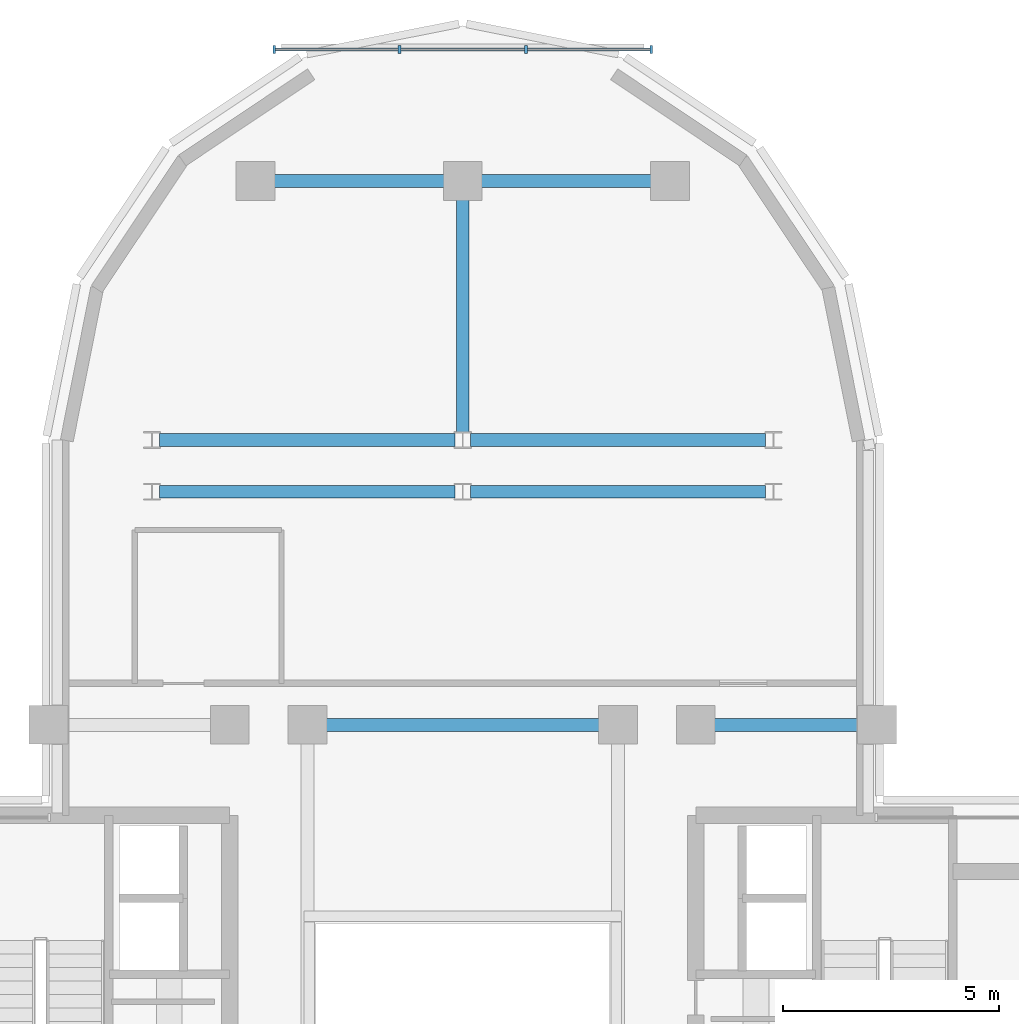
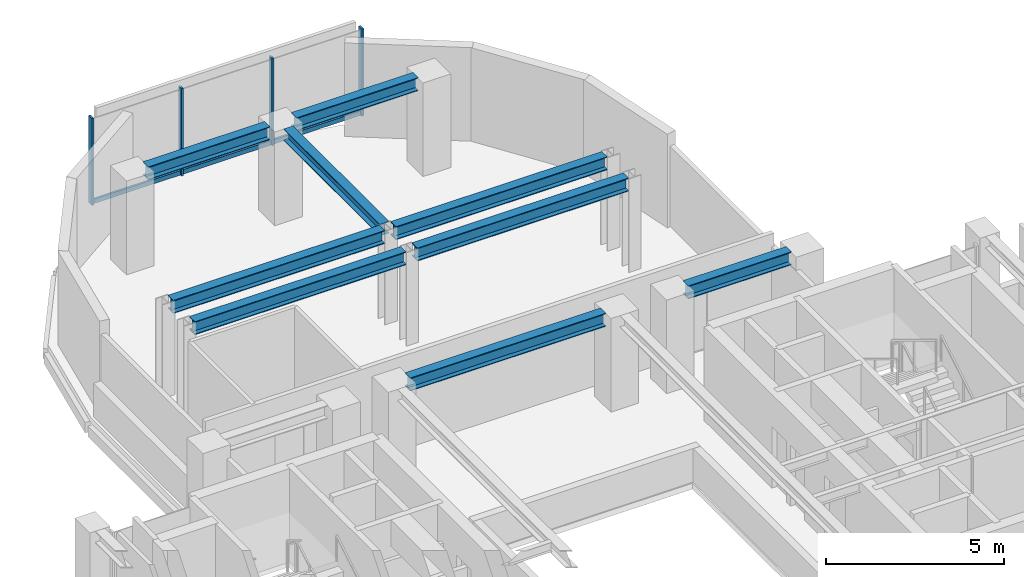
# One storey, part 4 of 11: 9 beams, 7 members, 1 element without a shape of its own.
"""IFC4 building model written with IfcOpenShell, lengths in metres."""

from ifc_helpers import new_model, si_unit, direction, frame, origin, origin_2d, place, context, subcontext, project, spatial, rectangle, i_section, extrude, source, transform, mapped, material, material_profile, profile_set, type_object, element, aggregate, save


model = new_model("IFC4")

# Units and contexts
model_context = context("Model", 3, precision=1e-05, world=origin(), true_north=direction((0.0, 1.0)))
body_context = subcontext(model_context, "Body", "Model", "MODEL_VIEW")
ifc_project = project(units=[si_unit("LENGTHUNIT", "METRE"), si_unit("AREAUNIT", "SQUARE_METRE"), si_unit("VOLUMEUNIT", "CUBIC_METRE"), si_unit("PLANEANGLEUNIT", "RADIAN"), si_unit("MASSUNIT", "GRAM", prefix="KILO")], contexts=[model_context])

# Site, building, storey
site_placement = place(None, origin())
site = spatial("IfcSite", under=ifc_project, at=site_placement, CompositionType="ELEMENT")
building_placement = place(site_placement, origin())
building = spatial("IfcBuilding", under=site, at=building_placement, Name="Keilestroom Media Tower", CompositionType="ELEMENT")
storey_placement = place(building_placement, frame((0.0, 0.0, 167.199951171875)))
storey = spatial("IfcBuildingStorey", under=building, at=storey_placement, Name="L45", CompositionType="ELEMENT", Elevation=167.199951171875)

# Beams
ifc_material_1 = material(Name="Steel S355", Category="steel")
ifc_material_profile_1 = material_profile(ifc_material_1, i_section(OverallWidth=0.300048828125, OverallDepth=0.449951171875, WebThickness=0.011962890625, FlangeThickness=0.02587890625, at=origin_2d()), Name="HEB 450")
ifc_profile_set_1 = profile_set([ifc_material_profile_1], Name="Steel S355")
beam_type_1 = type_object("IfcBeamType", Name="Primary-Structural-Girder-HEB-450", PredefinedType="BEAM", material=ifc_profile_set_1)
shared_shape_1 = source(origin(), body_context, "Body", "SweptSolid", [
    extrude(i_section(OverallWidth=0.300048828125, OverallDepth=0.449951171875, WebThickness=0.011962890625, FlangeThickness=0.02587890625, at=origin_2d()), origin(), (0.0, 0.0, 1.0), 3.940185546875),
])
for number, where, z_axis, x_axis, name in (
    (1, (-4.3701171875, 21.60009765625, 2.97509765625), (1.0, 0.0, 0.0), (0.0, 1.0, 0.0), "L45 Beam BG-7 BM-L45-EW-029"),
    (2, (0.429931640625, 21.60009765625, 2.97509765625), (1.0, 0.0, 0.0), (0.0, 1.0, 0.0), "L45 Beam BG-7 BM-L45-EW-030"),
):
    element("IfcBeam", number, at=place(storey_placement, frame(where, z_axis=z_axis, x_axis=x_axis)), inside=storey, type_object=beam_type_1, Name=name, PredefinedType="BEAM", context=body_context, shape_type="MappedRepresentation", body=[
        mapped(shared_shape_1, transform((0.0, 0.0, 0.0), x_axis=(1.0, 0.0, 0.0), y_axis=(0.0, 1.0, 0.0), z_axis=(0.0, 0.0, 1.0), scale=1.0)),
    ])
shared_shape_2 = source(origin(), body_context, "Body", "SweptSolid", [
    extrude(i_section(OverallWidth=0.300048828125, OverallDepth=0.449951171875, WebThickness=0.011962890625, FlangeThickness=0.02587890625, at=origin_2d()), origin(), (0.0, 0.0, 1.0), 6.842041015625),
])
for number, where, z_axis, x_axis, name in (
    (3, (-7.02099609375, 14.39990234375, 2.97509765625), (1.0, 0.0, 0.0), (0.0, 1.0, 0.0), "L45 Beam BG-7 BM-L45-EW-025"),
    (4, (0.178955078125, 14.39990234375, 2.97509765625), (1.0, 0.0, 0.0), (0.0, 1.0, 0.0), "L45 Beam BG-7 BM-L45-EW-026"),
    (5, (-7.02099609375, 15.60009765625, 2.97509765625), (1.0, 0.0, 0.0), (0.0, 1.0, 0.0), "L45 Beam BG-7 BM-L45-EW-027"),
    (6, (0.178955078125, 15.60009765625, 2.97509765625), (1.0, 0.0, 0.0), (0.0, 1.0, 0.0), "L45 Beam BG-7 BM-L45-EW-028"),
):
    element("IfcBeam", number, at=place(storey_placement, frame(where, z_axis=z_axis, x_axis=x_axis)), inside=storey, type_object=beam_type_1, Name=name, PredefinedType="BEAM", context=body_context, shape_type="MappedRepresentation", body=[
        mapped(shared_shape_2, transform((0.0, 0.0, 0.0), x_axis=(1.0, 0.0, 0.0), y_axis=(0.0, 1.0, 0.0), z_axis=(0.0, 0.0, 1.0), scale=1.0)),
    ])
shared_shape_3 = source(origin(), body_context, "Body", "SweptSolid", [
    extrude(i_section(OverallWidth=0.300048828125, OverallDepth=0.449951171875, WebThickness=0.011962890625, FlangeThickness=0.02587890625, at=origin_2d()), origin(), (0.0, 0.0, 1.0), 3.33984375),
])
beam_1_placement = place(storey_placement, frame((5.830078125, 9.0, 2.97509765625), z_axis=(1.0, 0.0, 0.0), x_axis=(0.0, 1.0, 0.0)))
element("IfcBeam", 7, at=beam_1_placement, inside=storey, type_object=beam_type_1, Name="L45 Beam BG-7 BM-L45-EW-024", PredefinedType="BEAM", context=body_context, shape_type="MappedRepresentation", body=[
    mapped(shared_shape_3, transform((0.0, 0.0, 0.0), x_axis=(1.0, 0.0, 0.0), y_axis=(0.0, 1.0, 0.0), z_axis=(0.0, 0.0, 1.0), scale=1.0)),
])
shared_shape_4 = source(origin(), body_context, "Body", "SweptSolid", [
    extrude(i_section(OverallWidth=0.300048828125, OverallDepth=0.449951171875, WebThickness=0.011962890625, FlangeThickness=0.02587890625, at=origin_2d()), origin(), (0.0, 0.0, 1.0), 6.33984375),
])
beam_2_placement = place(storey_placement, frame((-3.169921875, 9.0, 2.97509765625), z_axis=(1.0, 0.0, 0.0), x_axis=(0.0, 1.0, 0.0)))
element("IfcBeam", 8, at=beam_2_placement, inside=storey, type_object=beam_type_1, Name="L45 Beam BG-7 BM-L45-EW-022", PredefinedType="BEAM", context=body_context, shape_type="MappedRepresentation", body=[
    mapped(shared_shape_4, transform((0.0, 0.0, 0.0), x_axis=(1.0, 0.0, 0.0), y_axis=(0.0, 1.0, 0.0), z_axis=(0.0, 0.0, 1.0), scale=1.0)),
])
ifc_material_profile_2 = material_profile(ifc_material_1, i_section(OverallWidth=0.300048828125, OverallDepth=0.39990234375, WebThickness=0.011474609375, FlangeThickness=0.02392578125, at=origin_2d()), Name="HEB 400")
ifc_profile_set_2 = profile_set([ifc_material_profile_2], Name="Steel S355")
beam_type_2 = type_object("IfcBeamType", Name="Primary-Structural-Girder-HEB-400", PredefinedType="BEAM", material=ifc_profile_set_2)
shared_shape_5 = source(origin(), body_context, "Body", "SweptSolid", [
    extrude(i_section(OverallWidth=0.300048828125, OverallDepth=0.39990234375, WebThickness=0.011474609375, FlangeThickness=0.02392578125, at=origin_2d()), origin(), (0.0, 0.0, 1.0), 5.396484375),
])
beam_3_placement = place(storey_placement, frame((0.0, 15.7734375, 3.0), z_axis=(0.0, 1.0, 0.0), x_axis=(-1.0, 0.0, 0.0)))
element("IfcBeam", 9, at=beam_3_placement, inside=storey, type_object=beam_type_2, Name="L45 Beam BG-8 BM-L45-NS-044", PredefinedType="BEAM", context=body_context, shape_type="MappedRepresentation", body=[
    mapped(shared_shape_5, transform((0.0, 0.0, 0.0), x_axis=(1.0, 0.0, 0.0), y_axis=(0.0, 1.0, 0.0), z_axis=(0.0, 0.0, 1.0), scale=1.0)),
])

# Curtain wall, members
ifc_material_2 = material(Name="Anodised Aluminium Alloy", Category="aluminium")
curtain_wall_type = type_object("IfcCurtainWallType", Name="Unitised-Curtain-Wall-CW-6", PredefinedType="NOTDEFINED", material=ifc_material_2)
curtain_wall_placement = place(storey_placement, origin())
curtain_wall = element("IfcCurtainWall", 10, at=curtain_wall_placement, inside=storey, type_object=curtain_wall_type, Name="L45 Curtain Wall CW-6 CW-L45-LN-1", PredefinedType="NOTDEFINED")
ifc_material_profile_3 = material_profile(ifc_material_2, rectangle(XDim=0.06494140625, YDim=0.179931640625, at=origin_2d()), Name="ALU MULLION 65x180")
ifc_profile_set_3 = profile_set([ifc_material_profile_3], Name="Anodised Aluminium Alloy")
member_type_1 = type_object("IfcMemberType", Name="Curtain-Wall-Mullion-CW-6", PredefinedType="MULLION", material=ifc_profile_set_3)
shared_shape_6 = source(origin(), body_context, "Body", "SweptSolid", [
    extrude(rectangle(XDim=0.06494140625, YDim=0.179931640625, at=origin_2d()), origin(), (0.0, 0.0, 1.0), 2.97998046875),
])
member_1_placement = place(storey_placement, frame((-4.367431640625, 24.64990234375, 0.0), z_axis=(0.0, 0.0, 1.0), x_axis=(1.0, 0.0, 0.0)))
member_1 = element("IfcMember", 11, at=member_1_placement, type_object=member_type_1, Name="CW-6 Mullion 00", PredefinedType="MULLION", context=body_context, shape_type="MappedRepresentation", body=[
    mapped(shared_shape_6, transform((0.0, 0.0, 0.0), x_axis=(1.0, 0.0, 0.0), y_axis=(0.0, 1.0, 0.0), z_axis=(0.0, 0.0, 1.0), scale=1.0)),
])
member_2_placement = place(storey_placement, frame((-1.466796875, 24.64990234375, 0.0), z_axis=(0.0, 0.0, 1.0), x_axis=(1.0, 0.0, 0.0)))
member_2 = element("IfcMember", 12, at=member_2_placement, type_object=member_type_1, Name="CW-6 Mullion 01", PredefinedType="MULLION", context=body_context, shape_type="MappedRepresentation", body=[
    mapped(shared_shape_6, transform((0.0, 0.0, 0.0), x_axis=(1.0, 0.0, 0.0), y_axis=(0.0, 1.0, 0.0), z_axis=(0.0, 0.0, 1.0), scale=1.0)),
])
member_3_placement = place(storey_placement, frame((1.466796875, 24.64990234375, 0.0), z_axis=(0.0, 0.0, 1.0), x_axis=(1.0, 0.0, 0.0)))
member_3 = element("IfcMember", 13, at=member_3_placement, type_object=member_type_1, Name="CW-6 Mullion 02", PredefinedType="MULLION", context=body_context, shape_type="MappedRepresentation", body=[
    mapped(shared_shape_6, transform((0.0, 0.0, 0.0), x_axis=(1.0, 0.0, 0.0), y_axis=(0.0, 1.0, 0.0), z_axis=(0.0, 0.0, 1.0), scale=1.0)),
])
member_4_placement = place(storey_placement, frame((4.367431640625, 24.64990234375, 0.0), z_axis=(0.0, 0.0, 1.0), x_axis=(1.0, 0.0, 0.0)))
member_4 = element("IfcMember", 14, at=member_4_placement, type_object=member_type_1, Name="CW-6 Mullion 03", PredefinedType="MULLION", context=body_context, shape_type="MappedRepresentation", body=[
    mapped(shared_shape_6, transform((0.0, 0.0, 0.0), x_axis=(1.0, 0.0, 0.0), y_axis=(0.0, 1.0, 0.0), z_axis=(0.0, 0.0, 1.0), scale=1.0)),
])
ifc_material_profile_4 = material_profile(ifc_material_2, rectangle(XDim=0.06494140625, YDim=0.14990234375, at=origin_2d()), Name="ALU TRANSOM 65x150")
ifc_profile_set_4 = profile_set([ifc_material_profile_4], Name="Anodised Aluminium Alloy")
member_type_2 = type_object("IfcMemberType", Name="Curtain-Wall-Transom-CW-6", PredefinedType="USERDEFINED", material=ifc_profile_set_4)
shared_shape_7 = source(origin(), body_context, "Body", "SweptSolid", [
    extrude(rectangle(XDim=0.06494140625, YDim=0.14990234375, at=origin_2d()), origin(), (0.0, 0.0, 1.0), 2.839599609375),
])
member_5_placement = place(storey_placement, frame((-4.3369140625, 24.64990234375, 0.074951171875), z_axis=(1.0, 0.0, 0.0), x_axis=(0.0, 1.0, 0.0)))
member_5 = element("IfcMember", 15, at=member_5_placement, type_object=member_type_2, Name="CW-6 Transom 00.1", ObjectType="TRANSOM", PredefinedType="USERDEFINED", context=body_context, shape_type="MappedRepresentation", body=[
    mapped(shared_shape_7, transform((0.0, 0.0, 0.0), x_axis=(1.0, 0.0, 0.0), y_axis=(0.0, 1.0, 0.0), z_axis=(0.0, 0.0, 1.0), scale=1.0)),
])
member_6_placement = place(storey_placement, frame((1.497314453125, 24.64990234375, 0.074951171875), z_axis=(1.0, 0.0, 0.0), x_axis=(0.0, 1.0, 0.0)))
member_6 = element("IfcMember", 16, at=member_6_placement, type_object=member_type_2, Name="CW-6 Transom 02.1", ObjectType="TRANSOM", PredefinedType="USERDEFINED", context=body_context, shape_type="MappedRepresentation", body=[
    mapped(shared_shape_7, transform((0.0, 0.0, 0.0), x_axis=(1.0, 0.0, 0.0), y_axis=(0.0, 1.0, 0.0), z_axis=(0.0, 0.0, 1.0), scale=1.0)),
])
shared_shape_8 = source(origin(), body_context, "Body", "SweptSolid", [
    extrude(rectangle(XDim=0.06494140625, YDim=0.14990234375, at=origin_2d()), origin(), (0.0, 0.0, 1.0), 2.87255859375),
])
member_7_placement = place(storey_placement, frame((-1.436279296875, 24.64990234375, 0.074951171875), z_axis=(1.0, 0.0, 0.0), x_axis=(0.0, 1.0, 0.0)))
member_7 = element("IfcMember", 17, at=member_7_placement, type_object=member_type_2, Name="CW-6 Transom 01.1", ObjectType="TRANSOM", PredefinedType="USERDEFINED", context=body_context, shape_type="MappedRepresentation", body=[
    mapped(shared_shape_8, transform((0.0, 0.0, 0.0), x_axis=(1.0, 0.0, 0.0), y_axis=(0.0, 1.0, 0.0), z_axis=(0.0, 0.0, 1.0), scale=1.0)),
])
aggregate(curtain_wall, [member_1, member_2, member_3, member_4, member_5, member_7, member_6])

save(model, "model.ifc")
